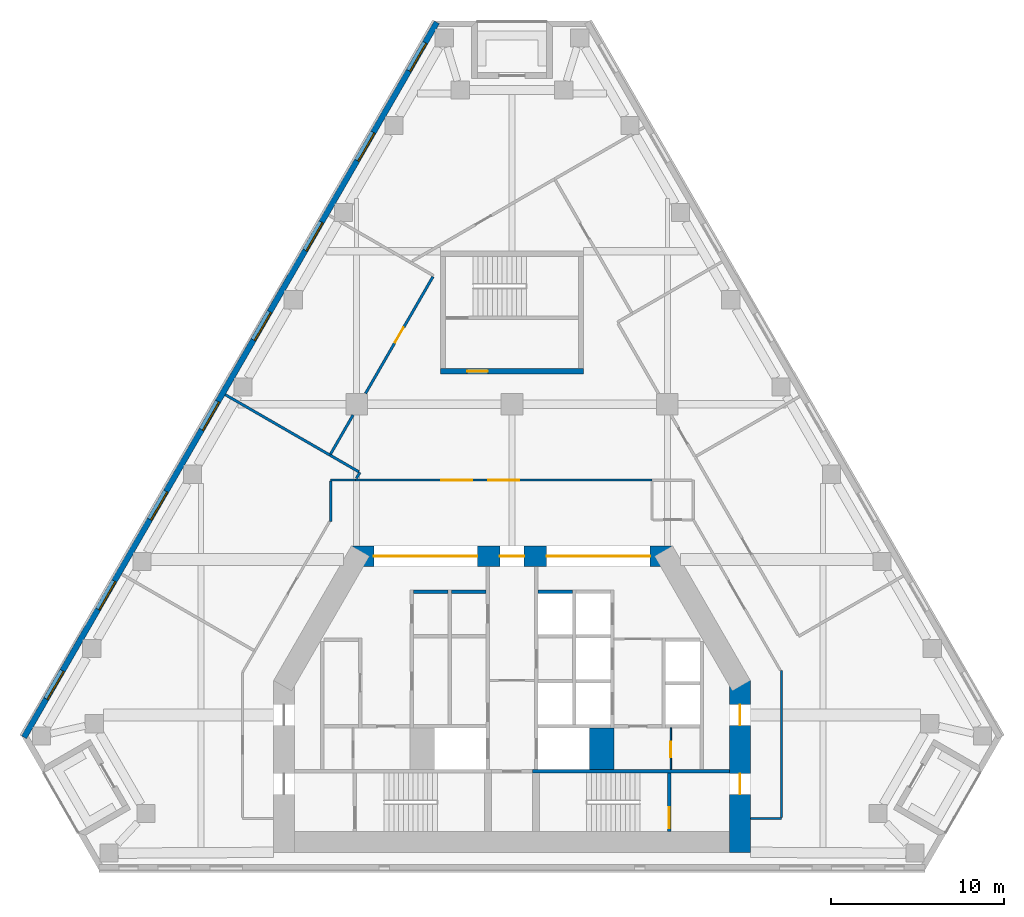
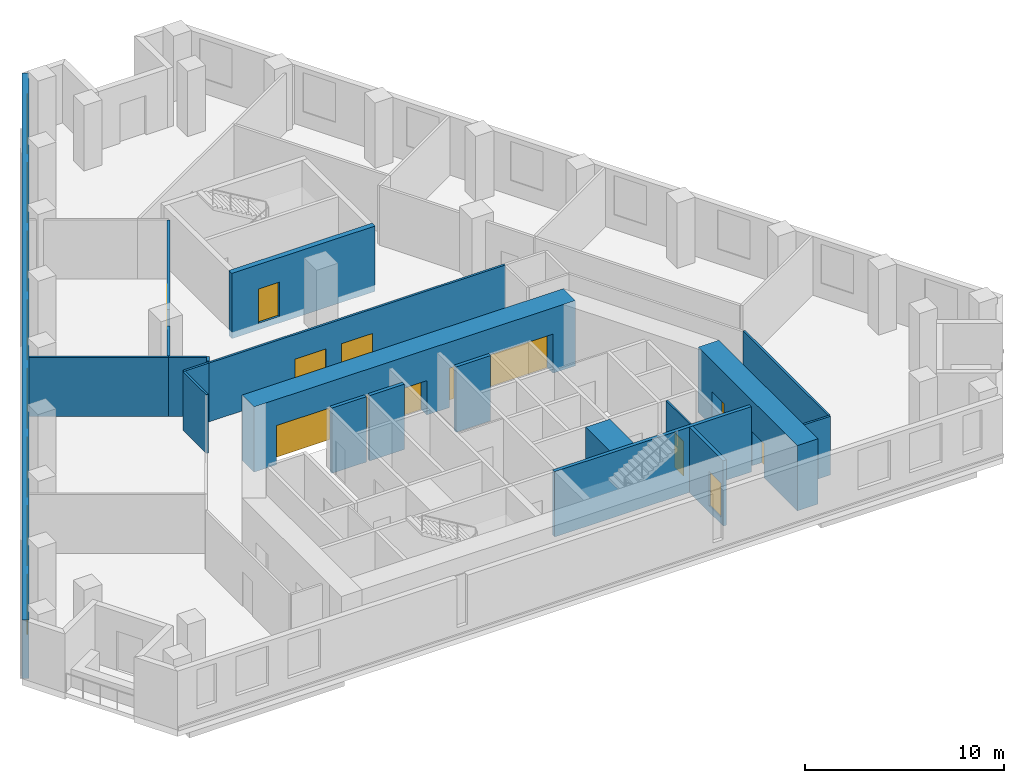
# One storey, part 4 of 7: 21 walls, 11 doors, 8 windows, 19 openings.
"""IFC4 building model written with IfcOpenShell, lengths in metres."""

from ifc_helpers import new_model, si_unit, direction, frame, frame_2d, origin, place, context, subcontext, project, spatial, rectangle, extrude, material, layer, layer_set, type_object, element, fill, save


model = new_model("IFC4")

# Units and contexts
model_context = context("Model", 3, precision=1e-05, world=origin(), true_north=direction((0.0, 1.0)))
body_context = subcontext(model_context, "Body", "Model", "MODEL_VIEW")
ifc_project = project(units=[si_unit("LENGTHUNIT", "METRE"), si_unit("AREAUNIT", "SQUARE_METRE"), si_unit("VOLUMEUNIT", "CUBIC_METRE"), si_unit("PLANEANGLEUNIT", "RADIAN"), si_unit("MASSUNIT", "GRAM", prefix="KILO")], contexts=[model_context])

# Site, building, storey
site_placement = place(None, origin())
site = spatial("IfcSite", under=ifc_project, at=site_placement, CompositionType="ELEMENT")
building_placement = place(site_placement, origin())
building = spatial("IfcBuilding", under=site, at=building_placement, Name="Fogline Exchange Tower", CompositionType="ELEMENT")
storey_placement = place(building_placement, frame((0.0, 0.0, 166.89990234375)))
storey = spatial("IfcBuildingStorey", under=building, at=storey_placement, Name="L37", CompositionType="ELEMENT", Elevation=166.89990234375)

# Wall, opening, door
ifc_material_1 = material(Name="Blockwork partition", Category="masonry")
ifc_layer_1 = layer(ifc_material_1, 0.10009765625)
ifc_layer_set_1 = layer_set([ifc_layer_1], Name="CW10")
wall_type_1 = type_object("IfcWallType", Name="CW10", PredefinedType="PARTITIONING", material=ifc_layer_set_1)
wall_1_placement = place(storey_placement, frame((9.199951171875, 5.85009765625, 0.0), z_axis=(0.0, 0.0, 1.0), x_axis=(0.0, 1.0, 0.0)))
wall_1 = element("IfcWall", 1, at=wall_1_placement, inside=storey, type_object=wall_type_1, Name="WC partition", PredefinedType="PARTITIONING", context=body_context, shape_type="SweptSolid", body=[
    extrude(rectangle(XDim=2.39990234375, YDim=0.10009765625, at=frame_2d((1.199951171875, 0.0))), origin(), (0.0, 0.0, 1.0), 3.60009765625),
])
opening_1_placement = place(wall_1_placement, frame((0.699951171875, 0.0, 0.0)))
opening_1 = element("IfcOpeningElement", 2, at=opening_1_placement, cuts=wall_1, Name="Opening T12-C015", PredefinedType="OPENING", context=body_context, shape_type="SweptSolid", body=[
    extrude(rectangle(XDim=0.89990234375, YDim=2.10009765625, at=frame_2d((0.449951171875, 1.050048828125))), frame((0.0, 0.06005859375, 0.0), z_axis=(0.0, -1.0, 0.0), x_axis=(1.0, 0.0, 0.0)), (0.0, 0.0, 1.0), 0.1201171875),
])
ifc_material_2 = material(Name="Steel and timber fire door", Category="steel")
door_type_1 = type_object("IfcDoorType", Name="D-CS1", OperationType="SINGLE_SWING_RIGHT", PredefinedType="DOOR", material=ifc_material_2)
door_1_placement = place(opening_1_placement, frame((0.89990234375, 0.0, 0.0), z_axis=(0.0, 0.0, 1.0), x_axis=(-1.0, 0.0, 0.0)))
door_1 = element("IfcDoor", 3, at=door_1_placement, inside=storey, type_object=door_type_1, Name="Door to Cleaner's Store", OperationType="SINGLE_SWING_RIGHT", OverallHeight=2.10009765625, OverallWidth=0.89990234375, PredefinedType="DOOR", context=body_context, shape_type="SweptSolid", body=[
    extrude(rectangle(XDim=0.89990234375, YDim=2.10009765625, at=frame_2d((0.449951171875, 1.050048828125))), frame((0.0, 0.02490234375, 0.0), z_axis=(0.0, -1.0, 0.0), x_axis=(1.0, 0.0, 0.0)), (0.0, 0.0, 1.0), 0.050048828125),
])
fill(opening_1, door_1)

# Walls
ifc_material_3 = material(Name="Concrete C60", Category="concrete")
ifc_layer_2 = layer(ifc_material_3, 1.39990234375)
ifc_layer_set_2 = layer_set([ifc_layer_2], Name="CW140")
wall_type_2 = type_object("IfcWallType", Name="CW140", PredefinedType="SOLIDWALL", material=ifc_layer_set_2)
wall_2_placement = place(storey_placement, frame((5.199951171875, 5.85009765625, -0.39990234375), z_axis=(0.0, 0.0, 1.0), x_axis=(0.0, 1.0, 0.0)))
element("IfcWall", 4, at=wall_2_placement, inside=storey, type_object=wall_type_2, Name="Lift shaft block wall", PredefinedType="SOLIDWALL", context=body_context, shape_type="SweptSolid", body=[
    extrude(rectangle(XDim=2.39990234375, YDim=1.39990234375, at=frame_2d((1.199951171875, 0.0))), origin(), (0.0, 0.0, 1.0), 4.0),
])
ifc_material_4 = material(Name="Concrete C40", Category="concrete")
ifc_layer_3 = layer(ifc_material_4, 0.199951171875)
ifc_layer_set_3 = layer_set([ifc_layer_3], Name="CW20R")
wall_type_3 = type_object("IfcWallType", Name="CW20R", PredefinedType="SOLIDWALL", material=ifc_layer_set_3)
wall_3_placement = place(storey_placement, frame((1.199951171875, 5.75, -0.39990234375), z_axis=(0.0, 0.0, 1.0), x_axis=(1.0, 0.0, 0.0)))
element("IfcWall", 5, at=wall_3_placement, inside=storey, type_object=wall_type_3, Name="Stair enclosure wall", PredefinedType="SOLIDWALL", context=body_context, shape_type="SweptSolid", body=[
    extrude(rectangle(XDim=11.400146484375, YDim=0.199951171875, at=frame_2d((5.7001953125, 0.0))), origin(), (0.0, 0.0, 1.0), 4.0),
])

# Wall, opening, door
wall_4_placement = place(storey_placement, frame((9.10009765625, 2.25, -0.39990234375), z_axis=(0.0, 0.0, 1.0), x_axis=(0.0, 1.0, 0.0)))
wall_4 = element("IfcWall", 6, at=wall_4_placement, inside=storey, type_object=wall_type_3, Name="Stair enclosure wall", PredefinedType="SOLIDWALL", context=body_context, shape_type="SweptSolid", body=[
    extrude(rectangle(XDim=3.39990234375, YDim=0.199951171875, at=frame_2d((1.699951171875, 0.0))), origin(), (0.0, 0.0, 1.0), 4.0),
])
opening_2_placement = place(wall_4_placement, frame((0.199951171875, 0.0, 0.39990234375)))
opening_2 = element("IfcOpeningElement", 7, at=opening_2_placement, cuts=wall_4, Name="Opening T12-C017", PredefinedType="OPENING", context=body_context, shape_type="SweptSolid", body=[
    extrude(rectangle(XDim=1.199951171875, YDim=2.10009765625, at=frame_2d((0.60009765625, 1.050048828125))), frame((0.0, 0.10986328125, 0.0), z_axis=(0.0, -1.0, 0.0), x_axis=(1.0, 0.0, 0.0)), (0.0, 0.0, 1.0), 0.219970703125),
])
door_type_2 = type_object("IfcDoorType", Name="D-ST1", OperationType="SINGLE_SWING_LEFT", PredefinedType="DOOR", material=ifc_material_2)
door_2_placement = place(opening_2_placement, origin())
door_2 = element("IfcDoor", 8, at=door_2_placement, inside=storey, type_object=door_type_2, Name="Stair door ST2", OperationType="SINGLE_SWING_LEFT", OverallHeight=2.10009765625, OverallWidth=1.199951171875, PredefinedType="DOOR", context=body_context, shape_type="SweptSolid", body=[
    extrude(rectangle(XDim=1.199951171875, YDim=2.10009765625, at=frame_2d((0.60009765625, 1.050048828125))), frame((0.0, 0.02490234375, 0.0), z_axis=(0.0, -1.0, 0.0), x_axis=(1.0, 0.0, 0.0)), (0.0, 0.0, 1.0), 0.050048828125),
])
fill(opening_2, door_2)

# Walls
ifc_layer_4 = layer(ifc_material_4, 0.199951171875)
ifc_layer_set_4 = layer_set([ifc_layer_4], Name="CW20S")
wall_type_4 = type_object("IfcWallType", Name="CW20S", PredefinedType="SOLIDWALL", material=ifc_layer_set_4)
for number, where, z_axis, x_axis, name in (
    (9, (-5.699951171875, 16.14990234375, -0.39990234375), (0.0, 0.0, 1.0), (1.0, 0.0, 0.0), "Lift shaft wall"),
    (10, (-3.5, 16.14990234375, -0.39990234375), (0.0, 0.0, 1.0), (1.0, 0.0, 0.0), "Lift shaft wall"),
    (11, (1.5, 16.14990234375, -0.39990234375), (0.0, 0.0, 1.0), (1.0, 0.0, 0.0), "Lift shaft wall"),
):
    element("IfcWall", number, at=place(storey_placement, frame(where, z_axis=z_axis, x_axis=x_axis)), inside=storey, type_object=wall_type_4, Name=name, PredefinedType="SOLIDWALL", context=body_context, shape_type="SweptSolid", body=[
        extrude(rectangle(XDim=2.0, YDim=0.199951171875, at=frame_2d((1.0, 0.0))), origin(), (0.0, 0.0, 1.0), 4.0),
    ])

# Wall, opening, door
ifc_layer_5 = layer(ifc_material_4, 0.300048828125)
ifc_layer_set_5 = layer_set([ifc_layer_5], Name="CW30")
wall_type_5 = type_object("IfcWallType", Name="CW30", PredefinedType="SOLIDWALL", material=ifc_layer_set_5)
wall_5_placement = place(storey_placement, frame((-4.14990234375, 28.906982421875, -0.39990234375), z_axis=(0.0, 0.0, 1.0), x_axis=(1.0, 0.0, 0.0)))
wall_5 = element("IfcWall", 12, at=wall_5_placement, inside=storey, type_object=wall_type_5, Name="Stair enclosure wall ST3", PredefinedType="SOLIDWALL", context=body_context, shape_type="SweptSolid", body=[
    extrude(rectangle(XDim=8.2998046875, YDim=0.300048828125, at=frame_2d((4.14990234375, 0.0))), origin(), (0.0, 0.0, 1.0), 4.0),
])
opening_3_placement = place(wall_5_placement, frame((1.550048828125, 0.0, 0.39990234375)))
opening_3 = element("IfcOpeningElement", 13, at=opening_3_placement, cuts=wall_5, Name="Opening T12-C023", PredefinedType="OPENING", context=body_context, shape_type="SweptSolid", body=[
    extrude(rectangle(XDim=1.199951171875, YDim=2.10009765625, at=frame_2d((0.60009765625, 1.050048828125))), frame((0.0, 0.16015625, 0.0), z_axis=(0.0, -1.0, 0.0), x_axis=(1.0, 0.0, 0.0)), (0.0, 0.0, 1.0), 0.320068359375),
])
door_type_3 = type_object("IfcDoorType", Name="D-FR1", OperationType="SINGLE_SWING_RIGHT", PredefinedType="DOOR", material=ifc_material_2)
door_3_placement = place(opening_3_placement, origin())
door_3 = element("IfcDoor", 14, at=door_3_placement, inside=storey, type_object=door_type_3, Name="Front room door ST3", OperationType="SINGLE_SWING_LEFT", OverallHeight=2.10009765625, OverallWidth=1.199951171875, PredefinedType="DOOR", context=body_context, shape_type="SweptSolid", body=[
    extrude(rectangle(XDim=1.199951171875, YDim=2.10009765625, at=frame_2d((0.60009765625, 1.050048828125))), frame((0.0, 0.02490234375, 0.0), z_axis=(0.0, -1.0, 0.0), x_axis=(1.0, 0.0, 0.0)), (0.0, 0.0, 1.0), 0.050048828125),
])
fill(opening_3, door_3)

# Wall, openings, windows
ifc_material_5 = material(Name="Brick masonry", Category="masonry")
ifc_layer_6 = layer(ifc_material_5, 0.340087890625)
ifc_layer_set_6 = layer_set([ifc_layer_6], Name="FW1")
wall_type_6 = type_object("IfcWallType", Name="FW1", PredefinedType="SOLIDWALL", material=ifc_layer_set_6)
wall_6_placement = place(storey_placement, frame((-4.352783203125, 49.111572265625, 0.0), z_axis=(0.0, 0.0, 1.0), x_axis=(-0.500002420408, -0.866024006357, 0.0)))
wall_6 = element("IfcWall", 15, at=wall_6_placement, inside=storey, type_object=wall_type_6, Name="Brick wall L37 W", PredefinedType="SOLIDWALL", context=body_context, shape_type="SweptSolid", body=[
    extrude(rectangle(XDim=47.807373046875, YDim=0.340087890625, at=frame_2d((23.90380859375, 0.0))), origin(), (0.0, 0.0, 1.0), 3.60009765625),
])
opening_4_placement = place(wall_6_placement, frame((1.35546875, 0.0, 0.89990234375)))
opening_4 = element("IfcOpeningElement", 16, at=opening_4_placement, cuts=wall_6, Name="Opening W1", PredefinedType="OPENING", context=body_context, shape_type="SweptSolid", body=[
    extrude(rectangle(XDim=1.885009765625, YDim=2.39990234375, at=frame_2d((0.9423828125, 1.199951171875))), frame((0.0, 0.18017578125, 0.0), z_axis=(0.0, -1.0, 0.0), x_axis=(1.0, 0.0, 0.0)), (0.0, 0.0, 1.0), 0.360107421875),
])
opening_5_placement = place(wall_6_placement, frame((7.35546875, 0.0, 0.89990234375)))
opening_5 = element("IfcOpeningElement", 17, at=opening_5_placement, cuts=wall_6, Name="Opening W1", PredefinedType="OPENING", context=body_context, shape_type="SweptSolid", body=[
    extrude(rectangle(XDim=1.885009765625, YDim=2.39990234375, at=frame_2d((0.9423828125, 1.199951171875))), frame((0.0, 0.18017578125, 0.0), z_axis=(0.0, -1.0, 0.0), x_axis=(1.0, 0.0, 0.0)), (0.0, 0.0, 1.0), 0.360107421875),
])
opening_6_placement = place(wall_6_placement, frame((13.35546875, 0.0, 0.89990234375)))
opening_6 = element("IfcOpeningElement", 18, at=opening_6_placement, cuts=wall_6, Name="Opening W1", PredefinedType="OPENING", context=body_context, shape_type="SweptSolid", body=[
    extrude(rectangle(XDim=1.885009765625, YDim=2.39990234375, at=frame_2d((0.9423828125, 1.199951171875))), frame((0.0, 0.18017578125, 0.0), z_axis=(0.0, -1.0, 0.0), x_axis=(1.0, 0.0, 0.0)), (0.0, 0.0, 1.0), 0.360107421875),
])
opening_7_placement = place(wall_6_placement, frame((19.35546875, 0.0, 0.89990234375)))
opening_7 = element("IfcOpeningElement", 19, at=opening_7_placement, cuts=wall_6, Name="Opening W1", PredefinedType="OPENING", context=body_context, shape_type="SweptSolid", body=[
    extrude(rectangle(XDim=1.885009765625, YDim=2.39990234375, at=frame_2d((0.9423828125, 1.199951171875))), frame((0.0, 0.18017578125, 0.0), z_axis=(0.0, -1.0, 0.0), x_axis=(1.0, 0.0, 0.0)), (0.0, 0.0, 1.0), 0.360107421875),
])
opening_8_placement = place(wall_6_placement, frame((25.35546875, 0.0, 0.89990234375)))
opening_8 = element("IfcOpeningElement", 20, at=opening_8_placement, cuts=wall_6, Name="Opening W1", PredefinedType="OPENING", context=body_context, shape_type="SweptSolid", body=[
    extrude(rectangle(XDim=1.885009765625, YDim=2.39990234375, at=frame_2d((0.9423828125, 1.199951171875))), frame((0.0, 0.18017578125, 0.0), z_axis=(0.0, -1.0, 0.0), x_axis=(1.0, 0.0, 0.0)), (0.0, 0.0, 1.0), 0.360107421875),
])
opening_9_placement = place(wall_6_placement, frame((31.35546875, 0.0, 0.89990234375)))
opening_9 = element("IfcOpeningElement", 21, at=opening_9_placement, cuts=wall_6, Name="Opening W1", PredefinedType="OPENING", context=body_context, shape_type="SweptSolid", body=[
    extrude(rectangle(XDim=1.885009765625, YDim=2.39990234375, at=frame_2d((0.9423828125, 1.199951171875))), frame((0.0, 0.18017578125, 0.0), z_axis=(0.0, -1.0, 0.0), x_axis=(1.0, 0.0, 0.0)), (0.0, 0.0, 1.0), 0.360107421875),
])
opening_10_placement = place(wall_6_placement, frame((37.35546875, 0.0, 0.89990234375)))
opening_10 = element("IfcOpeningElement", 22, at=opening_10_placement, cuts=wall_6, Name="Opening W1", PredefinedType="OPENING", context=body_context, shape_type="SweptSolid", body=[
    extrude(rectangle(XDim=1.885009765625, YDim=2.39990234375, at=frame_2d((0.9423828125, 1.199951171875))), frame((0.0, 0.18017578125, 0.0), z_axis=(0.0, -1.0, 0.0), x_axis=(1.0, 0.0, 0.0)), (0.0, 0.0, 1.0), 0.360107421875),
])
opening_11_placement = place(wall_6_placement, frame((43.35546875, 0.0, 0.89990234375)))
opening_11 = element("IfcOpeningElement", 23, at=opening_11_placement, cuts=wall_6, Name="Opening W1", PredefinedType="OPENING", context=body_context, shape_type="SweptSolid", body=[
    extrude(rectangle(XDim=1.885009765625, YDim=2.39990234375, at=frame_2d((0.9423828125, 1.199951171875))), frame((0.0, 0.18017578125, 0.0), z_axis=(0.0, -1.0, 0.0), x_axis=(1.0, 0.0, 0.0)), (0.0, 0.0, 1.0), 0.360107421875),
])
ifc_material_6 = material(Name="Aluminium and glass", Category="aluminium")
window_type = type_object("IfcWindowType", Name="W1", PartitioningType="SINGLE_PANEL", PredefinedType="WINDOW", material=ifc_material_6)
window_1_placement = place(opening_4_placement, origin())
window_1 = element("IfcWindow", 24, at=window_1_placement, inside=storey, type_object=window_type, Name="W1 W1", OverallHeight=2.39990234375, OverallWidth=1.885009765625, PartitioningType="SINGLE_PANEL", PredefinedType="WINDOW", context=body_context, shape_type="SweptSolid", body=[
    extrude(rectangle(XDim=1.885009765625, YDim=2.39990234375, at=frame_2d((0.9423828125, 1.199951171875))), frame((0.0, 0.110107421875, 0.0), z_axis=(0.0, -1.0, 0.0), x_axis=(1.0, 0.0, 0.0)), (0.0, 0.0, 1.0), 0.06005859375),
])
fill(opening_4, window_1)
window_2_placement = place(opening_5_placement, origin())
window_2 = element("IfcWindow", 25, at=window_2_placement, inside=storey, type_object=window_type, Name="W1 W1", OverallHeight=2.39990234375, OverallWidth=1.885009765625, PartitioningType="SINGLE_PANEL", PredefinedType="WINDOW", context=body_context, shape_type="SweptSolid", body=[
    extrude(rectangle(XDim=1.885009765625, YDim=2.39990234375, at=frame_2d((0.9423828125, 1.199951171875))), frame((0.0, 0.110107421875, 0.0), z_axis=(0.0, -1.0, 0.0), x_axis=(1.0, 0.0, 0.0)), (0.0, 0.0, 1.0), 0.06005859375),
])
fill(opening_5, window_2)
window_3_placement = place(opening_6_placement, origin())
window_3 = element("IfcWindow", 26, at=window_3_placement, inside=storey, type_object=window_type, Name="W1 W1", OverallHeight=2.39990234375, OverallWidth=1.885009765625, PartitioningType="SINGLE_PANEL", PredefinedType="WINDOW", context=body_context, shape_type="SweptSolid", body=[
    extrude(rectangle(XDim=1.885009765625, YDim=2.39990234375, at=frame_2d((0.9423828125, 1.199951171875))), frame((0.0, 0.110107421875, 0.0), z_axis=(0.0, -1.0, 0.0), x_axis=(1.0, 0.0, 0.0)), (0.0, 0.0, 1.0), 0.06005859375),
])
fill(opening_6, window_3)
window_4_placement = place(opening_7_placement, origin())
window_4 = element("IfcWindow", 27, at=window_4_placement, inside=storey, type_object=window_type, Name="W1 W1", OverallHeight=2.39990234375, OverallWidth=1.885009765625, PartitioningType="SINGLE_PANEL", PredefinedType="WINDOW", context=body_context, shape_type="SweptSolid", body=[
    extrude(rectangle(XDim=1.885009765625, YDim=2.39990234375, at=frame_2d((0.9423828125, 1.199951171875))), frame((0.0, 0.110107421875, 0.0), z_axis=(0.0, -1.0, 0.0), x_axis=(1.0, 0.0, 0.0)), (0.0, 0.0, 1.0), 0.06005859375),
])
fill(opening_7, window_4)
window_5_placement = place(opening_8_placement, origin())
window_5 = element("IfcWindow", 28, at=window_5_placement, inside=storey, type_object=window_type, Name="W1 W1", OverallHeight=2.39990234375, OverallWidth=1.885009765625, PartitioningType="SINGLE_PANEL", PredefinedType="WINDOW", context=body_context, shape_type="SweptSolid", body=[
    extrude(rectangle(XDim=1.885009765625, YDim=2.39990234375, at=frame_2d((0.9423828125, 1.199951171875))), frame((0.0, 0.110107421875, 0.0), z_axis=(0.0, -1.0, 0.0), x_axis=(1.0, 0.0, 0.0)), (0.0, 0.0, 1.0), 0.06005859375),
])
fill(opening_8, window_5)
window_6_placement = place(opening_9_placement, origin())
window_6 = element("IfcWindow", 29, at=window_6_placement, inside=storey, type_object=window_type, Name="W1 W1", OverallHeight=2.39990234375, OverallWidth=1.885009765625, PartitioningType="SINGLE_PANEL", PredefinedType="WINDOW", context=body_context, shape_type="SweptSolid", body=[
    extrude(rectangle(XDim=1.885009765625, YDim=2.39990234375, at=frame_2d((0.9423828125, 1.199951171875))), frame((0.0, 0.110107421875, 0.0), z_axis=(0.0, -1.0, 0.0), x_axis=(1.0, 0.0, 0.0)), (0.0, 0.0, 1.0), 0.06005859375),
])
fill(opening_9, window_6)
window_7_placement = place(opening_10_placement, origin())
window_7 = element("IfcWindow", 30, at=window_7_placement, inside=storey, type_object=window_type, Name="W1 W1", OverallHeight=2.39990234375, OverallWidth=1.885009765625, PartitioningType="SINGLE_PANEL", PredefinedType="WINDOW", context=body_context, shape_type="SweptSolid", body=[
    extrude(rectangle(XDim=1.885009765625, YDim=2.39990234375, at=frame_2d((0.9423828125, 1.199951171875))), frame((0.0, 0.110107421875, 0.0), z_axis=(0.0, -1.0, 0.0), x_axis=(1.0, 0.0, 0.0)), (0.0, 0.0, 1.0), 0.06005859375),
])
fill(opening_10, window_7)
window_8_placement = place(opening_11_placement, origin())
window_8 = element("IfcWindow", 31, at=window_8_placement, inside=storey, type_object=window_type, Name="W1 W1", OverallHeight=2.39990234375, OverallWidth=1.885009765625, PartitioningType="SINGLE_PANEL", PredefinedType="WINDOW", context=body_context, shape_type="SweptSolid", body=[
    extrude(rectangle(XDim=1.885009765625, YDim=2.39990234375, at=frame_2d((0.9423828125, 1.199951171875))), frame((0.0, 0.110107421875, 0.0), z_axis=(0.0, -1.0, 0.0), x_axis=(1.0, 0.0, 0.0)), (0.0, 0.0, 1.0), 0.06005859375),
])
fill(opening_11, window_8)

# Walls
ifc_material_7 = material(Name="Plasterboard corridor partition with mineral wool, 2 layers each side")
ifc_layer_7 = layer(ifc_material_7, 0.125)
ifc_layer_set_7 = layer_set([ifc_layer_7], Name="PW2")
wall_type_7 = type_object("IfcWallType", Name="PW2", PredefinedType="PARTITIONING", material=ifc_layer_set_7)
wall_7_placement = place(storey_placement, frame((15.60009765625, 11.58984375, 0.0), z_axis=(0.0, 0.0, 1.0), x_axis=(0.0, -1.0, 0.0)))
element("IfcWall", 32, at=wall_7_placement, inside=storey, type_object=wall_type_7, Name="wall-L37-W002", PredefinedType="PARTITIONING", context=body_context, shape_type="SweptSolid", body=[
    extrude(rectangle(XDim=8.52734375, YDim=0.125, at=frame_2d((4.263671875, 0.0))), origin(), (0.0, 0.0, 1.0), 3.60009765625),
])
wall_8_placement = place(storey_placement, frame((15.60009765625, 3.0, 0.0), z_axis=(0.0, 0.0, 1.0), x_axis=(-1.0, 0.0, 0.0)))
element("IfcWall", 33, at=wall_8_placement, inside=storey, type_object=wall_type_7, Name="wall-L37-W003", PredefinedType="PARTITIONING", context=body_context, shape_type="SweptSolid", body=[
    extrude(rectangle(XDim=1.800048828125, YDim=0.125, at=frame_2d((0.89990234375, 0.0))), origin(), (0.0, 0.0, 1.0), 3.60009765625),
])
wall_9_placement = place(storey_placement, frame((-10.5, 20.2060546875, 0.0), z_axis=(0.0, 0.0, 1.0), x_axis=(0.0, 1.0, 0.0)))
element("IfcWall", 34, at=wall_9_placement, inside=storey, type_object=wall_type_7, Name="wall-L37-W006", PredefinedType="PARTITIONING", context=body_context, shape_type="SweptSolid", body=[
    extrude(rectangle(XDim=2.33154296875, YDim=0.125, at=frame_2d((1.165771484375, 0.0))), origin(), (0.0, 0.0, 1.0), 3.60009765625),
])
wall_10_placement = place(storey_placement, frame((-10.5, 22.60009765625, 0.0), z_axis=(0.0, 0.0, 1.0), x_axis=(1.0, 0.0, 0.0)))
element("IfcWall", 35, at=wall_10_placement, inside=storey, type_object=wall_type_7, Name="wall-L37-W007", PredefinedType="PARTITIONING", context=body_context, shape_type="SweptSolid", body=[
    extrude(rectangle(XDim=1.42919921875, YDim=0.125, at=frame_2d((0.714599609375, 0.0))), origin(), (0.0, 0.0, 1.0), 3.60009765625),
])

# Wall, openings, doors
wall_11_placement = place(storey_placement, frame((-9.07080078125, 22.60009765625, 0.0), z_axis=(0.0, 0.0, 1.0), x_axis=(1.0, 0.0, 0.0)))
wall_11 = element("IfcWall", 36, at=wall_11_placement, inside=storey, type_object=wall_type_7, Name="wall-L37-W008", PredefinedType="PARTITIONING", context=body_context, shape_type="SweptSolid", body=[
    extrude(rectangle(XDim=17.1708984375, YDim=0.125, at=frame_2d((8.58544921875, 0.0))), origin(), (0.0, 0.0, 1.0), 3.60009765625),
])
opening_12_placement = place(wall_11_placement, frame((4.981689453125, 0.0, 0.0)))
opening_12 = element("IfcOpeningElement", 37, at=opening_12_placement, cuts=wall_11, Name="Opening T12-D003", PredefinedType="OPENING", context=body_context, shape_type="SweptSolid", body=[
    extrude(rectangle(XDim=1.800048828125, YDim=2.10009765625, at=frame_2d((0.89990234375, 1.050048828125))), frame((0.0, 0.072509765625, 0.0), z_axis=(0.0, -1.0, 0.0), x_axis=(1.0, 0.0, 0.0)), (0.0, 0.0, 1.0), 0.14501953125),
])
opening_13_placement = place(wall_11_placement, frame((7.685302734375, 0.0, 0.0)))
opening_13 = element("IfcOpeningElement", 38, at=opening_13_placement, cuts=wall_11, Name="Opening T12-D004", PredefinedType="OPENING", context=body_context, shape_type="SweptSolid", body=[
    extrude(rectangle(XDim=1.800048828125, YDim=2.10009765625, at=frame_2d((0.89990234375, 1.050048828125))), frame((0.0, 0.072509765625, 0.0), z_axis=(0.0, -1.0, 0.0), x_axis=(1.0, 0.0, 0.0)), (0.0, 0.0, 1.0), 0.14501953125),
])
ifc_material_8 = material(Name="Fire-rated timber door leaves with steel frame", Category="steel")
door_type_4 = type_object("IfcDoorType", Name="D4", OperationType="DOUBLE_DOOR_SINGLE_SWING", PredefinedType="DOOR", material=ifc_material_8)
door_4_placement = place(opening_12_placement, frame((1.800048828125, 0.0, 0.0), z_axis=(0.0, 0.0, 1.0), x_axis=(-1.0, 0.0, 0.0)))
door_4 = element("IfcDoor", 39, at=door_4_placement, inside=storey, type_object=door_type_4, Name="door-L37-D003", OperationType="DOUBLE_DOOR_SINGLE_SWING", OverallHeight=2.10009765625, OverallWidth=1.800048828125, PredefinedType="DOOR", context=body_context, shape_type="SweptSolid", body=[
    extrude(rectangle(XDim=1.800048828125, YDim=2.10009765625, at=frame_2d((0.89990234375, 1.050048828125))), frame((0.0, 0.02490234375, 0.0), z_axis=(0.0, -1.0, 0.0), x_axis=(1.0, 0.0, 0.0)), (0.0, 0.0, 1.0), 0.050048828125),
])
fill(opening_12, door_4)
door_5_placement = place(opening_13_placement, frame((1.800048828125, 0.0, 0.0), z_axis=(0.0, 0.0, 1.0), x_axis=(-1.0, 0.0, 0.0)))
door_5 = element("IfcDoor", 40, at=door_5_placement, inside=storey, type_object=door_type_4, Name="door-L37-D004", OperationType="DOUBLE_DOOR_SINGLE_SWING", OverallHeight=2.10009765625, OverallWidth=1.800048828125, PredefinedType="DOOR", context=body_context, shape_type="SweptSolid", body=[
    extrude(rectangle(XDim=1.800048828125, YDim=2.10009765625, at=frame_2d((0.89990234375, 1.050048828125))), frame((0.0, 0.02490234375, 0.0), z_axis=(0.0, -1.0, 0.0), x_axis=(1.0, 0.0, 0.0)), (0.0, 0.0, 1.0), 0.050048828125),
])
fill(opening_13, door_5)

# Wall
ifc_material_9 = material(Name="Plasterboard demising partition with mineral wool and acoustic board")
ifc_layer_8 = layer(ifc_material_9, 0.14990234375)
ifc_layer_set_8 = layer_set([ifc_layer_8], Name="PW3")
wall_type_8 = type_object("IfcWallType", Name="PW3", PredefinedType="PARTITIONING", material=ifc_layer_set_8)
wall_12_placement = place(storey_placement, frame((-10.54248046875, 24.05078125, 0.0), z_axis=(0.0, 0.0, 1.0), x_axis=(-0.866019471182, 0.500010275428, 0.0)))
element("IfcWall", 41, at=wall_12_placement, inside=storey, type_object=wall_type_8, Name="wall-L37-W028", PredefinedType="PARTITIONING", context=body_context, shape_type="SweptSolid", body=[
    extrude(rectangle(XDim=6.999755859375, YDim=0.14990234375, at=frame_2d((3.5, 0.0))), origin(), (0.0, 0.0, 1.0), 3.60009765625),
])

# Wall, opening, door
wall_13_placement = place(storey_placement, frame((-4.579833984375, 34.378173828125, 0.0), z_axis=(0.0, 0.0, 1.0), x_axis=(-0.500021466329, -0.866013009839, 0.0)))
wall_13 = element("IfcWall", 42, at=wall_13_placement, inside=storey, type_object=wall_type_8, Name="wall-L37-W030", PredefinedType="PARTITIONING", context=body_context, shape_type="SweptSolid", body=[
    extrude(rectangle(XDim=7.798095703125, YDim=0.14990234375, at=frame_2d((3.89892578125, 0.0))), origin(), (0.0, 0.0, 1.0), 3.60009765625),
])
opening_14_placement = place(wall_13_placement, frame((3.39892578125, 0.0, 0.0)))
opening_14 = element("IfcOpeningElement", 43, at=opening_14_placement, cuts=wall_13, Name="Opening T12-D011", PredefinedType="OPENING", context=body_context, shape_type="SweptSolid", body=[
    extrude(rectangle(XDim=1.0, YDim=2.10009765625, at=frame_2d((0.5, 1.050048828125))), frame((0.0, 0.0849609375, 0.0), z_axis=(0.0, -1.0, 0.0), x_axis=(1.0, 0.0, 0.0)), (0.0, 0.0, 1.0), 0.169921875),
])
ifc_material_10 = material(Name="Fire-rated timber door leaf with steel frame", Category="steel")
door_type_5 = type_object("IfcDoorType", Name="D3", OperationType="SINGLE_SWING_LEFT", PredefinedType="DOOR", material=ifc_material_10)
door_6_placement = place(opening_14_placement, frame((1.0, 0.0, 0.0), z_axis=(0.0, 0.0, 1.0), x_axis=(-1.0, 0.0, 0.0)))
door_6 = element("IfcDoor", 44, at=door_6_placement, inside=storey, type_object=door_type_5, Name="door-L37-D011", OperationType="SINGLE_SWING_LEFT", OverallHeight=2.10009765625, OverallWidth=1.0, PredefinedType="DOOR", context=body_context, shape_type="SweptSolid", body=[
    extrude(rectangle(XDim=1.0, YDim=2.10009765625, at=frame_2d((0.5, 1.050048828125))), frame((0.0, 0.02490234375, 0.0), z_axis=(0.0, -1.0, 0.0), x_axis=(1.0, 0.0, 0.0)), (0.0, 0.0, 1.0), 0.050048828125),
])
fill(opening_14, door_6)

# Walls
wall_14_placement = place(storey_placement, frame((-9.20068359375, 26.375, 0.0), z_axis=(0.0, 0.0, 1.0), x_axis=(-0.499984413489, -0.866034402474, 0.0)))
element("IfcWall", 45, at=wall_14_placement, inside=storey, type_object=wall_type_8, Name="wall-L37-W031", PredefinedType="PARTITIONING", context=body_context, shape_type="SweptSolid", body=[
    extrude(rectangle(XDim=2.6083984375, YDim=0.14990234375, at=frame_2d((1.30419921875, 0.0))), origin(), (0.0, 0.0, 1.0), 3.60009765625),
])
wall_15_placement = place(storey_placement, frame((-10.54248046875, 24.05078125, 0.0), z_axis=(0.0, 0.0, 1.0), x_axis=(0.866065214058, -0.499931040243, 0.0)))
element("IfcWall", 46, at=wall_15_placement, inside=storey, type_object=wall_type_8, Name="wall-L37-W033", PredefinedType="PARTITIONING", context=body_context, shape_type="SweptSolid", body=[
    extrude(rectangle(XDim=1.925048828125, YDim=0.14990234375, at=frame_2d((0.96240234375, 0.0))), origin(), (0.0, 0.0, 1.0), 3.60009765625),
])
wall_16_placement = place(storey_placement, frame((-8.810302734375, 23.05078125, 0.0), z_axis=(0.0, 0.0, 1.0), x_axis=(-0.500227331437, -0.865894114129, 0.0)))
element("IfcWall", 47, at=wall_16_placement, inside=storey, type_object=wall_type_8, Name="wall-L37-W034", PredefinedType="PARTITIONING", context=body_context, shape_type="SweptSolid", body=[
    extrude(rectangle(XDim=0.404541015625, YDim=0.14990234375, at=frame_2d((0.2021484375, 0.0))), origin(), (0.0, 0.0, 1.0), 3.60009765625),
])

# Wall, openings, doors
ifc_layer_9 = layer(ifc_material_3, 1.199951171875)
ifc_layer_set_9 = layer_set([ifc_layer_9], Name="SW02")
wall_type_9 = type_object("IfcWallType", Name="SW02", PredefinedType="SHEAR", material=ifc_layer_set_9)
wall_17_placement = place(storey_placement, frame((13.199951171875, 1.050048828125, 0.0), z_axis=(0.0, 0.0, 1.0), x_axis=(0.0, 1.0, 0.0)))
wall_17 = element("IfcWall", 48, at=wall_17_placement, inside=storey, type_object=wall_type_9, Name="L37-W902", PredefinedType="SHEAR", context=body_context, shape_type="SweptSolid", body=[
    extrude(rectangle(XDim=9.948974609375, YDim=1.199951171875, at=frame_2d((4.974609375, 0.0))), origin(), (0.0, 0.0, 1.0), 4.0),
])
opening_15_placement = place(wall_17_placement, frame((3.35009765625, 0.0, 0.0)))
opening_15 = element("IfcOpeningElement", 49, at=opening_15_placement, cuts=wall_17, Name="Opening T12-C016", PredefinedType="OPENING", context=body_context, shape_type="SweptSolid", body=[
    extrude(rectangle(XDim=1.199951171875, YDim=2.10009765625, at=frame_2d((0.60009765625, 1.050048828125))), frame((0.0, 0.60986328125, 0.0), z_axis=(0.0, -1.0, 0.0), x_axis=(1.0, 0.0, 0.0)), (0.0, 0.0, 1.0), 1.219970703125),
])
opening_16_placement = place(wall_17_placement, frame((7.35009765625, 0.0, 0.0)))
opening_16 = element("IfcOpeningElement", 50, at=opening_16_placement, cuts=wall_17, Name="Opening T12-C018", PredefinedType="OPENING", context=body_context, shape_type="SweptSolid", body=[
    extrude(rectangle(XDim=1.199951171875, YDim=2.10009765625, at=frame_2d((0.60009765625, 1.050048828125))), frame((0.0, 0.60986328125, 0.0), z_axis=(0.0, -1.0, 0.0), x_axis=(1.0, 0.0, 0.0)), (0.0, 0.0, 1.0), 1.219970703125),
])
door_7_placement = place(opening_15_placement, origin())
door_7 = element("IfcDoor", 51, at=door_7_placement, inside=storey, type_object=door_type_3, Name="Front room door ST2", OperationType="SINGLE_SWING_RIGHT", OverallHeight=2.10009765625, OverallWidth=1.199951171875, PredefinedType="DOOR", context=body_context, shape_type="SweptSolid", body=[
    extrude(rectangle(XDim=1.199951171875, YDim=2.10009765625, at=frame_2d((0.60009765625, 1.050048828125))), frame((0.0, 0.02490234375, 0.0), z_axis=(0.0, -1.0, 0.0), x_axis=(1.0, 0.0, 0.0)), (0.0, 0.0, 1.0), 0.050048828125),
])
fill(opening_15, door_7)
door_type_6 = type_object("IfcDoorType", Name="D-SV1", OperationType="SINGLE_SWING_LEFT", PredefinedType="DOOR", material=ifc_material_2)
door_8_placement = place(opening_16_placement, origin())
door_8 = element("IfcDoor", 52, at=door_8_placement, inside=storey, type_object=door_type_6, Name="Service door E", OperationType="SINGLE_SWING_RIGHT", OverallHeight=2.10009765625, OverallWidth=1.199951171875, PredefinedType="DOOR", context=body_context, shape_type="SweptSolid", body=[
    extrude(rectangle(XDim=1.199951171875, YDim=2.10009765625, at=frame_2d((0.60009765625, 1.050048828125))), frame((0.0, 0.02490234375, 0.0), z_axis=(0.0, -1.0, 0.0), x_axis=(1.0, 0.0, 0.0)), (0.0, 0.0, 1.0), 0.050048828125),
])
fill(opening_16, door_8)

wall_18_placement = place(storey_placement, frame((9.296142578125, 18.199951171875, 0.0), z_axis=(0.0, 0.0, 1.0), x_axis=(-1.0, 0.0, 0.0)))
wall_18 = element("IfcWall", 53, at=wall_18_placement, inside=storey, type_object=wall_type_9, Name="L37-W904", PredefinedType="SHEAR", context=body_context, shape_type="SweptSolid", body=[
    extrude(rectangle(XDim=18.59228515625, YDim=1.199951171875, at=frame_2d((9.296142578125, 0.0))), origin(), (0.0, 0.0, 1.0), 4.0),
])
opening_17_placement = place(wall_18_placement, frame((8.59619140625, 0.0, 0.0)))
opening_17 = element("IfcOpeningElement", 54, at=opening_17_placement, cuts=wall_18, Name="Opening T12-C020", PredefinedType="OPENING", context=body_context, shape_type="SweptSolid", body=[
    extrude(rectangle(XDim=1.39990234375, YDim=2.10009765625, at=frame_2d((0.699951171875, 1.050048828125))), frame((0.0, 0.60986328125, 0.0), z_axis=(0.0, -1.0, 0.0), x_axis=(1.0, 0.0, 0.0)), (0.0, 0.0, 1.0), 1.219970703125),
])
opening_18_placement = place(wall_18_placement, frame((11.296142578125, 0.0, 0.0)))
opening_18 = element("IfcOpeningElement", 55, at=opening_18_placement, cuts=wall_18, Name="Opening T12-C021", PredefinedType="OPENING", context=body_context, shape_type="SweptSolid", body=[
    extrude(rectangle(XDim=6.0, YDim=2.39990234375, at=frame_2d((3.0, 1.199951171875))), frame((0.0, 0.60986328125, 0.0), z_axis=(0.0, -1.0, 0.0), x_axis=(1.0, 0.0, 0.0)), (0.0, 0.0, 1.0), 1.219970703125),
])
opening_19_placement = place(wall_18_placement, frame((1.296142578125, 0.0, 0.0)))
opening_19 = element("IfcOpeningElement", 56, at=opening_19_placement, cuts=wall_18, Name="Opening T12-C022", PredefinedType="OPENING", context=body_context, shape_type="SweptSolid", body=[
    extrude(rectangle(XDim=6.0, YDim=2.39990234375, at=frame_2d((3.0, 1.199951171875))), frame((0.0, 0.60986328125, 0.0), z_axis=(0.0, -1.0, 0.0), x_axis=(1.0, 0.0, 0.0)), (0.0, 0.0, 1.0), 1.219970703125),
])
door_type_7 = type_object("IfcDoorType", Name="D-LB1", OperationType="DOUBLE_DOOR_SINGLE_SWING", PredefinedType="DOOR", material=ifc_material_2)
door_9_placement = place(opening_17_placement, origin())
door_9 = element("IfcDoor", 57, at=door_9_placement, inside=storey, type_object=door_type_7, Name="Protected lobby door", OperationType="DOUBLE_DOOR_SINGLE_SWING", OverallHeight=2.10009765625, OverallWidth=1.39990234375, PredefinedType="DOOR", context=body_context, shape_type="SweptSolid", body=[
    extrude(rectangle(XDim=1.39990234375, YDim=2.10009765625, at=frame_2d((0.699951171875, 1.050048828125))), frame((0.0, 0.02490234375, 0.0), z_axis=(0.0, -1.0, 0.0), x_axis=(1.0, 0.0, 0.0)), (0.0, 0.0, 1.0), 0.050048828125),
])
fill(opening_17, door_9)
door_type_8 = type_object("IfcDoorType", Name="D-LE1", OperationType="DOUBLE_DOOR_SLIDING", PredefinedType="DOOR", material=ifc_material_2)
door_10_placement = place(opening_18_placement, origin())
door_10 = element("IfcDoor", 58, at=door_10_placement, inside=storey, type_object=door_type_8, Name="Lift lobby entrance west", OperationType="DOUBLE_DOOR_SLIDING", OverallHeight=2.39990234375, OverallWidth=6.0, PredefinedType="DOOR", context=body_context, shape_type="SweptSolid", body=[
    extrude(rectangle(XDim=6.0, YDim=2.39990234375, at=frame_2d((3.0, 1.199951171875))), frame((0.0, 0.02490234375, 0.0), z_axis=(0.0, -1.0, 0.0), x_axis=(1.0, 0.0, 0.0)), (0.0, 0.0, 1.0), 0.050048828125),
])
fill(opening_18, door_10)
door_11_placement = place(opening_19_placement, origin())
door_11 = element("IfcDoor", 59, at=door_11_placement, inside=storey, type_object=door_type_8, Name="Lift lobby entrance east", OperationType="DOUBLE_DOOR_SLIDING", OverallHeight=2.39990234375, OverallWidth=6.0, PredefinedType="DOOR", context=body_context, shape_type="SweptSolid", body=[
    extrude(rectangle(XDim=6.0, YDim=2.39990234375, at=frame_2d((3.0, 1.199951171875))), frame((0.0, 0.02490234375, 0.0), z_axis=(0.0, -1.0, 0.0), x_axis=(1.0, 0.0, 0.0)), (0.0, 0.0, 1.0), 0.050048828125),
])
fill(opening_19, door_11)

save(model, "model.ifc")
